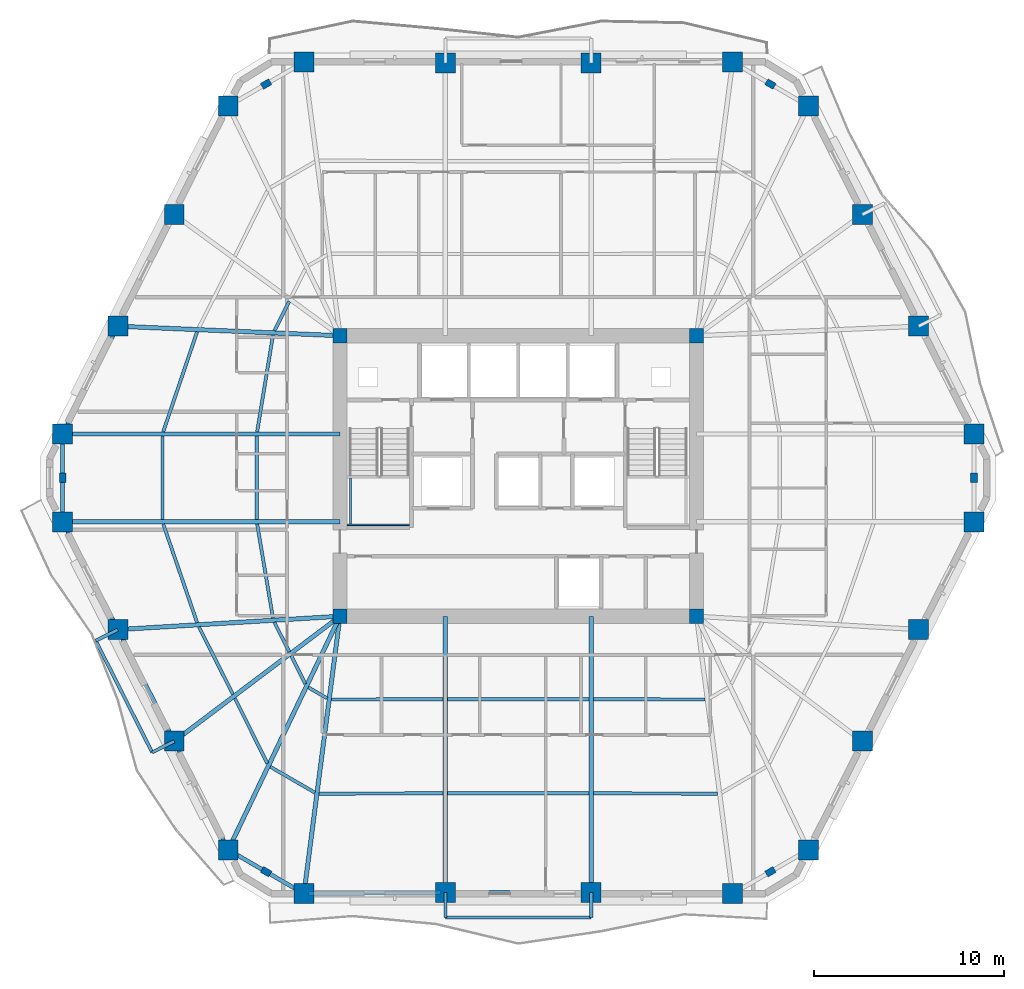
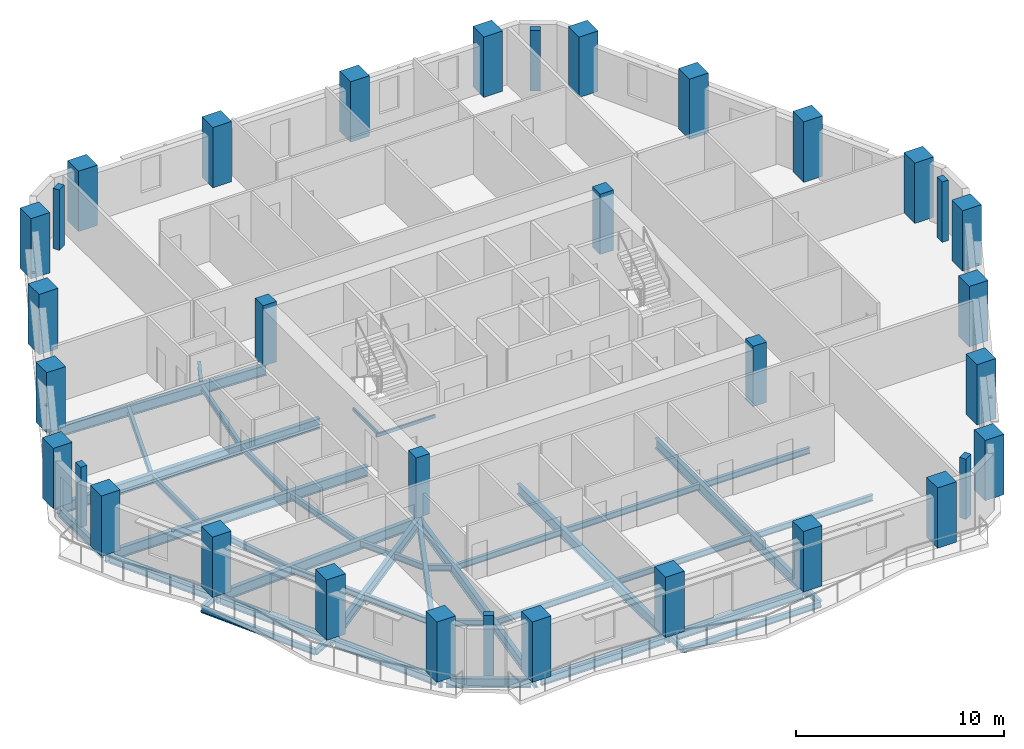
# One storey, part 1 of 12: 44 beams, 34 columns.
"""IFC4 building model written with IfcOpenShell, lengths in metres."""

import ifcopenshell
import ifcopenshell.guid

model = None  # the IFC model being written
_history = None  # IfcOwnerHistory: only IFC2X3 demands one
_inside = {}  # id of a spatial element -> (the spatial element, [elements in it])
_under = {}  # id of a project, library or spatial element -> (it, [spatial elements below it])
_declared = {}  # id of a project -> (the project, [libraries it declares])
_typed = {}  # id of a type object -> (the type object, [elements of that type])
_made_of = {}  # id of a material, layer set ... -> (it, [elements and type objects made of it])


def new_model(schema):
    """Start an empty IFC model of exactly this schema.

    Asked for "IFC4X3", IfcOpenShell would pick the latest addendum, in which some entities
    have other attributes; the version numbers below select the first issue.
    IFC2X3 requires an IfcOwnerHistory on every rooted entity: one is made here for all.
    """
    global model, _history
    if schema == "IFC4X3":
        model = ifcopenshell.file(schema_version=(4, 3, 0, 0))
    else:
        model = ifcopenshell.file(schema=schema)
    _inside.clear()
    _under.clear()
    _declared.clear()
    _typed.clear()
    _made_of.clear()
    _history = None
    if model.schema == "IFC2X3":
        org = make("IfcOrganization", Name="unknown")
        user = make(
            "IfcPersonAndOrganization",
            ThePerson=make("IfcPerson", FamilyName="unknown"),
            TheOrganization=org,
        )
        app = make(
            "IfcApplication",
            ApplicationDeveloper=org,
            Version="unknown",
            ApplicationFullName="unknown",
            ApplicationIdentifier="unknown",
        )
        _history = make(
            "IfcOwnerHistory",
            OwningUser=user,
            OwningApplication=app,
            ChangeAction="ADDED",
            CreationDate=0,
        )
    return model


def make(cls, **values):
    """One entity of the class cls with the attributes given. An attribute that is None is left unset."""
    return model.create_entity(
        cls, **{name: value for name, value in values.items() if value is not None}
    )


def rooted(cls, **values):
    """An entity with a GlobalId (a new one), such as an element, a storey or a relation."""
    return make(cls, GlobalId=ifcopenshell.guid.new(), OwnerHistory=_history, **values)


def si_unit(unit_type, name, prefix=None):
    """IfcSIUnit, for example si_unit("LENGTHUNIT", "METRE", prefix="MILLI")."""
    return make("IfcSIUnit", UnitType=unit_type, Prefix=prefix, Name=name)


def assignment(units):
    """IfcUnitAssignment: the units of a project."""
    return None if units is None else make("IfcUnitAssignment", Units=units)


def point(xyz):
    """IfcCartesianPoint."""
    return None if xyz is None else make("IfcCartesianPoint", Coordinates=xyz)


def direction(xyz):
    """IfcDirection."""
    return None if xyz is None else make("IfcDirection", DirectionRatios=xyz)


def frame(location, z_axis=None, x_axis=None):
    """IfcAxis2Placement3D, a coordinate frame: its origin and axes. An axis left out is left unset."""
    return make(
        "IfcAxis2Placement3D",
        Location=point(location),
        Axis=direction(z_axis),
        RefDirection=direction(x_axis),
    )


def frame_2d(location, x_axis=None):
    """IfcAxis2Placement2D, a coordinate frame in the plane: its origin and x axis."""
    return make(
        "IfcAxis2Placement2D", Location=point(location), RefDirection=direction(x_axis)
    )


def origin():
    """The frame at (0, 0, 0) with its axes left unset."""
    return frame((0.0, 0.0, 0.0))


def origin_2d():
    """The frame at (0, 0) in the plane with its x axis left unset."""
    return frame_2d((0.0, 0.0))


def place(relative_to, where):
    """IfcLocalPlacement: puts the frame where relative to a parent placement (None: the world)."""
    return make(
        "IfcLocalPlacement", PlacementRelTo=relative_to, RelativePlacement=where
    )


def context(
    kind, dimensions, precision=None, world=None, true_north=None, identifier=None
):
    """IfcGeometricRepresentationContext, for example the 3D "Model" context."""
    return make(
        "IfcGeometricRepresentationContext",
        ContextIdentifier=identifier,
        ContextType=kind,
        CoordinateSpaceDimension=dimensions,
        Precision=precision,
        WorldCoordinateSystem=world,
        TrueNorth=true_north,
    )


def subcontext(parent, identifier, kind, view, scale=None):
    """IfcGeometricRepresentationSubContext, for example "Body" below "Model"."""
    return make(
        "IfcGeometricRepresentationSubContext",
        ContextIdentifier=identifier,
        ContextType=kind,
        ParentContext=parent,
        TargetScale=scale,
        TargetView=view,
    )


def project(units=None, contexts=None):
    """IfcProject with its units and contexts."""
    return rooted(
        "IfcProject",
        Name="project",
        RepresentationContexts=contexts,
        UnitsInContext=assignment(units),
    )


def spatial(cls, under=None, at=None, **own):
    """A site, building, storey or space (cls), placed at a placement, below another one or the project."""
    s = rooted(cls, ObjectPlacement=at, **own)
    if under is not None:
        _under.setdefault(under.id(), (under, []))[1].append(s)
    return s


def profile(cls, at=None, kind="AREA", **sizes):
    """A parametric profile (cls). Its sizes go by their IFC names, for example OverallWidth=200.0."""
    return make(cls, ProfileType=kind, Position=at, **sizes)


def rectangle(**sizes):
    """IfcRectangleProfileDef."""
    return profile("IfcRectangleProfileDef", **sizes)


def hollow_rectangle(**sizes):
    """IfcRectangleHollowProfileDef."""
    return profile("IfcRectangleHollowProfileDef", **sizes)


def i_section(**sizes):
    """IfcIShapeProfileDef."""
    return profile("IfcIShapeProfileDef", **sizes)


def extrude(swept, where, along, depth):
    """IfcExtrudedAreaSolid: the profile swept, set in the frame where, extruded along a direction by depth."""
    return make(
        "IfcExtrudedAreaSolid",
        SweptArea=swept,
        Position=where,
        ExtrudedDirection=direction(along),
        Depth=depth,
    )


def shape(context_of_items, identifier, shape_type, items):
    """IfcShapeRepresentation: the items that make up one representation, for example the "Body"."""
    return make(
        "IfcShapeRepresentation",
        ContextOfItems=context_of_items,
        RepresentationIdentifier=identifier,
        RepresentationType=shape_type,
        Items=items,
    )


def material(Name=None, Category=None):
    """IfcMaterial."""
    return make("IfcMaterial", Name=Name, Category=Category)


def material_profile(
    of_material, cross_section, Name=None, Category=None, Priority=None
):
    """IfcMaterialProfile: a cross section and its material."""
    return make(
        "IfcMaterialProfile",
        Name=Name,
        Material=of_material,
        Profile=cross_section,
        Priority=Priority,
        Category=Category,
    )


def profile_set(profiles, Name=None, composite=None):
    """IfcMaterialProfileSet."""
    return make(
        "IfcMaterialProfileSet",
        Name=Name,
        MaterialProfiles=profiles,
        CompositeProfile=composite,
    )


def made_of(thing, what):
    """Note that an element or type object is made of a material, layer set ...; save() writes the relation."""
    if what is not None:
        _made_of.setdefault(what.id(), (what, []))[1].append(thing)
    return thing


def type_object(cls, material=None, **own):
    """A type object (cls), such as IfcWallType, which elements share."""
    return made_of(rooted(cls, **own), material)


def element(
    cls,
    number,
    at=None,
    inside=None,
    cuts=None,
    type_object=None,
    material=None,
    context=None,
    identifier="Body",
    shape_type=None,
    held_by="IfcProductDefinitionShape",
    body=None,
    shapes=None,
    **own,
):
    """One element of the class cls, such as IfcWall. Its Tag is "e" and its number.

    at: its placement. inside: the storey or other place that contains it. cuts: it is an
    opening in that element (IfcRelVoidsElement). A single representation is given by context,
    identifier, shape_type and body (its items); several are given by shapes. held_by: the class
    of the entity that holds the representations. save() writes the other relations.
    """
    e = rooted(cls, Tag="e%d" % number, ObjectPlacement=at, **own)
    if body is not None:
        shapes = [shape(context, identifier, shape_type, body)]
    if shapes is not None:
        e.Representation = make(held_by, Representations=shapes)
    if inside is not None:
        _inside.setdefault(inside.id(), (inside, []))[1].append(e)
    if cuts is not None:
        rooted(
            "IfcRelVoidsElement", RelatingBuildingElement=cuts, RelatedOpeningElement=e
        )
    if type_object is not None:
        _typed.setdefault(type_object.id(), (type_object, []))[1].append(e)
    return made_of(e, material)


def aggregate(whole, parts):
    """IfcRelAggregates: a whole, such as a stair, and the parts it consists of."""
    return rooted("IfcRelAggregates", RelatingObject=whole, RelatedObjects=parts)


def save(model, path):
    """Write the relations noted so far, then the file.

    IfcRelAggregates (storeys below a building ...), IfcRelContainedInSpatialStructure (elements
    in a storey), IfcRelDefinesByType, IfcRelAssociatesMaterial and IfcRelDeclares: one each for
    every whole, place, type object, material and project.
    """
    for whole, parts in _under.values():
        aggregate(whole, parts)
    for where, things in _inside.values():
        rooted(
            "IfcRelContainedInSpatialStructure",
            RelatedElements=things,
            RelatingStructure=where,
        )
    for kind, things in _typed.values():
        rooted("IfcRelDefinesByType", RelatedObjects=things, RelatingType=kind)
    for what, things in _made_of.values():
        rooted("IfcRelAssociatesMaterial", RelatedObjects=things, RelatingMaterial=what)
    for by, libraries in _declared.values():
        rooted("IfcRelDeclares", RelatingContext=by, RelatedDefinitions=libraries)
    model.write(path)


model = new_model("IFC4")

# Units and contexts
model_context = context("Model", 3, precision=1e-05, world=origin(), true_north=direction((0.0, 1.0)))
body_context = subcontext(model_context, "Body", "Model", "MODEL_VIEW")
ifc_project = project(units=[si_unit("LENGTHUNIT", "METRE"), si_unit("AREAUNIT", "SQUARE_METRE"), si_unit("VOLUMEUNIT", "CUBIC_METRE"), si_unit("PLANEANGLEUNIT", "RADIAN"), si_unit("MASSUNIT", "GRAM", prefix="KILO")], contexts=[model_context])

# Site, building, storey
site_placement = place(None, origin())
site = spatial("IfcSite", under=ifc_project, at=site_placement, CompositionType="ELEMENT")
building_placement = place(site_placement, origin())
building = spatial("IfcBuilding", under=site, at=building_placement, Name="Cinnabar Lancet Tower", CompositionType="ELEMENT")
storey_placement = place(building_placement, frame((0.0, 0.0, 112.60009765625)))
storey = spatial("IfcBuildingStorey", under=building, at=storey_placement, Name="L29", CompositionType="ELEMENT", Elevation=112.60009765625)

# Columns
ifc_material_1 = material(Name="Concrete C70/85", Category="concrete")
ifc_material_profile_1 = material_profile(ifc_material_1, rectangle(XDim=0.75, YDim=0.75, at=origin_2d()), Name="RC-COL 750x750")
ifc_profile_set_1 = profile_set([ifc_material_profile_1], Name="Concrete C70/85")
column_type_1 = type_object("IfcColumnType", Name="STR-COL-CORE-750", PredefinedType="COLUMN", material=ifc_profile_set_1)
for number, where, z_axis, x_axis, name in (
    (1, (23.02490234375, 18.52490234375, 0.0), (0.0, 0.0, 1.0), (1.0, 0.0, 0.0), "L29 Core Corner Column SW"),
    (2, (41.77490234375, 18.52490234375, 0.0), (0.0, 0.0, 1.0), (1.0, 0.0, 0.0), "L29 Core Corner Column SE"),
    (3, (41.77490234375, 33.27490234375, 0.0), (0.0, 0.0, 1.0), (1.0, 0.0, 0.0), "L29 Core Corner Column NE"),
    (4, (23.02490234375, 33.27490234375, 0.0), (0.0, 0.0, 1.0), (1.0, 0.0, 0.0), "L29 Core Corner Column NW"),
):
    element("IfcColumn", number, at=place(storey_placement, frame(where, z_axis=z_axis, x_axis=x_axis)), inside=storey, type_object=column_type_1, Name=name, PredefinedType="COLUMN", context=body_context, shape_type="SweptSolid", body=[
        extrude(rectangle(XDim=0.75, YDim=0.75, at=origin_2d()), origin(), (0.0, 0.0, 1.0), 3.5498046875),
    ])
ifc_material_2 = material(Name="Concrete C60/75", Category="concrete")
ifc_material_profile_2 = material_profile(ifc_material_2, rectangle(XDim=0.5, YDim=0.35009765625, at=origin_2d()), Name="RC-PIL 500x350")
ifc_profile_set_2 = profile_set([ifc_material_profile_2], Name="Concrete C60/75")
column_type_2 = type_object("IfcColumnType", Name="STR-COL-PIL-500", PredefinedType="PILASTER", material=ifc_profile_set_2)
for number, where, z_axis, x_axis, name in (
    (5, (19.14111328125, 5.093017578125, 0.0), (0.0, 0.0, 1.0), (0.865160173452, -0.501495637342, 0.0), "L29 Chamfered Corner Pilaster 1"),
    (6, (45.658935546875, 5.093017578125, 0.0), (0.0, 0.0, 1.0), (0.865160173452, 0.501495637342, 0.0), "L29 Chamfered Corner Pilaster 2"),
    (7, (56.35693359375, 25.800048828125, 0.0), (0.0, 0.0, 1.0), (0.0, 1.0, 0.0), "L29 Chamfered Corner Pilaster 3"),
    (8, (45.658935546875, 46.508056640625, 0.0), (0.0, 0.0, 1.0), (-0.865160173452, 0.501495637342, 0.0), "L29 Chamfered Corner Pilaster 4"),
    (9, (19.14111328125, 46.508056640625, 0.0), (0.0, 0.0, 1.0), (-0.865160173452, -0.501495637342, 0.0), "L29 Chamfered Corner Pilaster 5"),
    (10, (8.443115234375, 25.800048828125, 0.0), (0.0, 0.0, 1.0), (0.0, -1.0, 0.0), "L29 Chamfered Corner Pilaster 6"),
):
    element("IfcColumn", number, at=place(storey_placement, frame(where, z_axis=z_axis, x_axis=x_axis)), inside=storey, type_object=column_type_2, Name=name, PredefinedType="PILASTER", context=body_context, shape_type="SweptSolid", body=[
        extrude(rectangle(XDim=0.5, YDim=0.35009765625, at=origin_2d()), origin(), (0.0, 0.0, 1.0), 3.5498046875),
    ])
ifc_material_3 = material(Name="Concrete C70/85", Category="concrete")
ifc_material_profile_3 = material_profile(ifc_material_3, rectangle(XDim=1.050048828125, YDim=1.050048828125, at=origin_2d()), Name="RC-COL 1050x1050")
ifc_profile_set_3 = profile_set([ifc_material_profile_3], Name="Concrete C70/85")
column_type_3 = type_object("IfcColumnType", Name="STR-COL-TUBE-1050", PredefinedType="COLUMN", material=ifc_profile_set_3)
for number, where, z_axis, x_axis, name in (
    (11, (21.131103515625, 3.93896484375, 0.0), (0.0, 0.0, 1.0), (1.0, 0.0, 0.0), "L29 Perimeter Tube Column 1"),
    (12, (28.568115234375, 3.991943359375, 0.0), (0.0, 0.0, 1.0), (1.0, 0.0, 0.0), "L29 Perimeter Tube Column 2"),
    (13, (36.23193359375, 3.991943359375, 0.0), (0.0, 0.0, 1.0), (1.0, 0.0, 0.0), "L29 Perimeter Tube Column 3"),
    (14, (43.6689453125, 3.93896484375, 0.0), (0.0, 0.0, 1.0), (1.0, 0.0, 0.0), "L29 Perimeter Tube Column 4"),
    (15, (47.64892578125, 6.24609375, 0.0), (0.0, 0.0, 1.0), (1.0, 0.0, 0.0), "L29 Perimeter Tube Column 5"),
    (16, (50.489013671875, 11.955078125, 0.0), (0.0, 0.0, 1.0), (1.0, 0.0, 0.0), "L29 Perimeter Tube Column 6"),
    (17, (53.451904296875, 17.823974609375, 0.0), (0.0, 0.0, 1.0), (1.0, 0.0, 0.0), "L29 Perimeter Tube Column 7"),
    (18, (56.35693359375, 23.490966796875, 0.0), (0.0, 0.0, 1.0), (1.0, 0.0, 0.0), "L29 Perimeter Tube Column 8"),
    (19, (56.35693359375, 28.10888671875, 0.0), (0.0, 0.0, 1.0), (1.0, 0.0, 0.0), "L29 Perimeter Tube Column 9"),
    (20, (53.451904296875, 33.77587890625, 0.0), (0.0, 0.0, 1.0), (1.0, 0.0, 0.0), "L29 Perimeter Tube Column 10"),
    (21, (50.489013671875, 39.64501953125, 0.0), (0.0, 0.0, 1.0), (1.0, 0.0, 0.0), "L29 Perimeter Tube Column 11"),
    (22, (47.64892578125, 45.35400390625, 0.0), (0.0, 0.0, 1.0), (1.0, 0.0, 0.0), "L29 Perimeter Tube Column 12"),
    (23, (43.6689453125, 47.660888671875, 0.0), (0.0, 0.0, 1.0), (1.0, 0.0, 0.0), "L29 Perimeter Tube Column 13"),
    (24, (36.23193359375, 47.60791015625, 0.0), (0.0, 0.0, 1.0), (1.0, 0.0, 0.0), "L29 Perimeter Tube Column 14"),
    (25, (28.568115234375, 47.60791015625, 0.0), (0.0, 0.0, 1.0), (1.0, 0.0, 0.0), "L29 Perimeter Tube Column 15"),
    (26, (21.131103515625, 47.660888671875, 0.0), (0.0, 0.0, 1.0), (1.0, 0.0, 0.0), "L29 Perimeter Tube Column 16"),
    (27, (17.15087890625, 45.35400390625, 0.0), (0.0, 0.0, 1.0), (1.0, 0.0, 0.0), "L29 Perimeter Tube Column 17"),
    (28, (14.31103515625, 39.64501953125, 0.0), (0.0, 0.0, 1.0), (1.0, 0.0, 0.0), "L29 Perimeter Tube Column 18"),
    (29, (11.347900390625, 33.77587890625, 0.0), (0.0, 0.0, 1.0), (1.0, 0.0, 0.0), "L29 Perimeter Tube Column 19"),
    (30, (8.443115234375, 28.10888671875, 0.0), (0.0, 0.0, 1.0), (1.0, 0.0, 0.0), "L29 Perimeter Tube Column 20"),
    (31, (8.443115234375, 23.490966796875, 0.0), (0.0, 0.0, 1.0), (1.0, 0.0, 0.0), "L29 Perimeter Tube Column 21"),
    (32, (11.347900390625, 17.823974609375, 0.0), (0.0, 0.0, 1.0), (1.0, 0.0, 0.0), "L29 Perimeter Tube Column 22"),
    (33, (14.31103515625, 11.955078125, 0.0), (0.0, 0.0, 1.0), (1.0, 0.0, 0.0), "L29 Perimeter Tube Column 23"),
    (34, (17.15087890625, 6.24609375, 0.0), (0.0, 0.0, 1.0), (1.0, 0.0, 0.0), "L29 Perimeter Tube Column 24"),
):
    element("IfcColumn", number, at=place(storey_placement, frame(where, z_axis=z_axis, x_axis=x_axis)), inside=storey, type_object=column_type_3, Name=name, PredefinedType="COLUMN", context=body_context, shape_type="SweptSolid", body=[
        extrude(rectangle(XDim=1.050048828125, YDim=1.050048828125, at=origin_2d()), origin(), (0.0, 0.0, 1.0), 3.5498046875),
    ])

# Beams
ifc_material_4 = material(Name="Structural steel S355", Category="steel")
ifc_material_profile_4 = material_profile(ifc_material_4, i_section(OverallWidth=0.17138671875, OverallDepth=0.35498046875, WebThickness=0.00732421875, FlangeThickness=0.011474609375, FilletRadius=0.01025390625, at=origin_2d()), Name="UKB 356x171x51")
ifc_profile_set_4 = profile_set([ifc_material_profile_4], Name="Structural steel S355")
beam_type_1 = type_object("IfcBeamType", Name="STR-BM-JST-356", PredefinedType="JOIST", material=ifc_profile_set_4)
beam_1_placement = place(storey_placement, frame((13.73193359375, 23.376953125, -0.38720703125), z_axis=(0.324639458548, -0.945837841257, 0.0), x_axis=(0.945837841257, 0.324639458548, 0.0)))
element("IfcBeam", 35, at=beam_1_placement, inside=storey, type_object=beam_type_1, Name="L29 Secondary Floor Joist 1", PredefinedType="JOIST", context=body_context, shape_type="SweptSolid", body=[
    extrude(i_section(OverallWidth=0.17138671875, OverallDepth=0.35498046875, WebThickness=0.00732421875, FlangeThickness=0.011474609375, FilletRadius=0.01025390625, at=origin_2d()), origin(), (0.0, 0.0, 1.0), 5.486083984375),
])
beam_2_placement = place(storey_placement, frame((18.669921875, 23.376953125, -0.38720703125), z_axis=(0.165984412241, -0.986128376477, 0.0), x_axis=(0.986128376477, 0.165984412241, 0.0)))
element("IfcBeam", 36, at=beam_2_placement, inside=storey, type_object=beam_type_1, Name="L29 Secondary Floor Joist 2", PredefinedType="JOIST", context=body_context, shape_type="SweptSolid", body=[
    extrude(i_section(OverallWidth=0.17138671875, OverallDepth=0.35498046875, WebThickness=0.00732421875, FlangeThickness=0.011474609375, FilletRadius=0.01025390625, at=origin_2d()), origin(), (0.0, 0.0, 1.0), 5.0185546875),
])
beam_3_placement = place(storey_placement, frame((15.60791015625, 17.965087890625, -0.38720703125), z_axis=(0.450755070916, -0.892647671841, 0.0), x_axis=(0.892647671841, 0.450755070916, 0.0)))
element("IfcBeam", 37, at=beam_3_placement, inside=storey, type_object=beam_type_1, Name="L29 Secondary Floor Joist 3", PredefinedType="JOIST", context=body_context, shape_type="SweptSolid", body=[
    extrude(i_section(OverallWidth=0.17138671875, OverallDepth=0.35498046875, WebThickness=0.00732421875, FlangeThickness=0.011474609375, FilletRadius=0.01025390625, at=origin_2d()), origin(), (0.0, 0.0, 1.0), 3.966796875),
])
beam_4_placement = place(storey_placement, frame((19.577880859375, 18.2041015625, -0.38720703125), z_axis=(0.450874341268, -0.892587434589, 0.0), x_axis=(0.892587434589, 0.450874341268, 0.0)))
element("IfcBeam", 38, at=beam_4_placement, inside=storey, type_object=beam_type_1, Name="L29 Secondary Floor Joist 4", PredefinedType="JOIST", context=body_context, shape_type="SweptSolid", body=[
    extrude(i_section(OverallWidth=0.17138671875, OverallDepth=0.35498046875, WebThickness=0.00732421875, FlangeThickness=0.011474609375, FilletRadius=0.01025390625, at=origin_2d()), origin(), (0.0, 0.0, 1.0), 1.732177734375),
])
beam_5_placement = place(storey_placement, frame((17.5, 14.216064453125, -0.38720703125), z_axis=(0.445295120803, -0.895383859241, 0.0), x_axis=(0.895383859241, 0.445295120803, 0.0)))
element("IfcBeam", 39, at=beam_5_placement, inside=storey, type_object=beam_type_1, Name="L29 Secondary Floor Joist 5", PredefinedType="JOIST", context=body_context, shape_type="SweptSolid", body=[
    extrude(i_section(OverallWidth=0.17138671875, OverallDepth=0.35498046875, WebThickness=0.00732421875, FlangeThickness=0.011474609375, FilletRadius=0.01025390625, at=origin_2d()), origin(), (0.0, 0.0, 1.0), 3.81982421875),
])
beam_6_placement = place(storey_placement, frame((20.4619140625, 16.449951171875, -0.38720703125), z_axis=(0.445557690111, -0.895253229418, 0.0), x_axis=(0.895253229418, 0.445557690111, 0.0)))
element("IfcBeam", 40, at=beam_6_placement, inside=storey, type_object=beam_type_1, Name="L29 Secondary Floor Joist 6", PredefinedType="JOIST", context=body_context, shape_type="SweptSolid", body=[
    extrude(i_section(OverallWidth=0.17138671875, OverallDepth=0.35498046875, WebThickness=0.00732421875, FlangeThickness=0.011474609375, FilletRadius=0.01025390625, at=origin_2d()), origin(), (0.0, 0.0, 1.0), 1.652099609375),
])
beam_7_placement = place(storey_placement, frame((19.364990234375, 10.60888671875, -0.38720703125), z_axis=(0.865172906898, -0.501473669469, 0.0), x_axis=(0.501473669469, 0.865172906898, 0.0)))
element("IfcBeam", 41, at=beam_7_placement, inside=storey, type_object=beam_type_1, Name="L29 Secondary Floor Joist 7", PredefinedType="JOIST", context=body_context, shape_type="SweptSolid", body=[
    extrude(i_section(OverallWidth=0.17138671875, OverallDepth=0.35498046875, WebThickness=0.00732421875, FlangeThickness=0.011474609375, FilletRadius=0.01025390625, at=origin_2d()), origin(), (0.0, 0.0, 1.0), 2.705810546875),
])
beam_8_placement = place(storey_placement, frame((21.362060546875, 14.783935546875, -0.38720703125), z_axis=(0.865055308165, -0.501676503154, 0.0), x_axis=(0.501676503154, 0.865055308165, 0.0)))
element("IfcBeam", 42, at=beam_8_placement, inside=storey, type_object=beam_type_1, Name="L29 Secondary Floor Joist 8", PredefinedType="JOIST", context=body_context, shape_type="SweptSolid", body=[
    extrude(i_section(OverallWidth=0.17138671875, OverallDepth=0.35498046875, WebThickness=0.00732421875, FlangeThickness=0.011474609375, FilletRadius=0.01025390625, at=origin_2d()), origin(), (0.0, 0.0, 1.0), 1.14208984375),
])
beam_9_placement = place(storey_placement, frame((21.927978515625, 9.19091796875, -0.38720703125), z_axis=(0.999987991898, 0.004900618269, 0.0), x_axis=(-0.004900618269, 0.999987991898, 0.0)))
element("IfcBeam", 43, at=beam_9_placement, inside=storey, type_object=beam_type_1, Name="L29 Secondary Floor Joist 9", PredefinedType="JOIST", context=body_context, shape_type="SweptSolid", body=[
    extrude(i_section(OverallWidth=0.17138671875, OverallDepth=0.35498046875, WebThickness=0.00732421875, FlangeThickness=0.011474609375, FilletRadius=0.01025390625, at=origin_2d()), origin(), (0.0, 0.0, 1.0), 6.526123046875),
])
beam_10_placement = place(storey_placement, frame((22.572021484375, 14.14892578125, -0.38720703125), z_axis=(0.999996247906, 0.002739374605, 0.0), x_axis=(-0.002739374605, 0.999996247906, 0.0)))
element("IfcBeam", 44, at=beam_10_placement, inside=storey, type_object=beam_type_1, Name="L29 Secondary Floor Joist 10", PredefinedType="JOIST", context=body_context, shape_type="SweptSolid", body=[
    extrude(i_section(OverallWidth=0.17138671875, OverallDepth=0.35498046875, WebThickness=0.00732421875, FlangeThickness=0.011474609375, FilletRadius=0.01025390625, at=origin_2d()), origin(), (0.0, 0.0, 1.0), 5.882080078125),
])
for number, where, z_axis, x_axis, name in (
    (45, (28.681884765625, 9.22412109375, -0.38720703125), (1.0, 0.0, 0.0), (0.0, 1.0, 0.0), "L29 Secondary Floor Joist 11"),
    (46, (28.681884765625, 14.1650390625, -0.38720703125), (1.0, 0.0, 0.0), (0.0, 1.0, 0.0), "L29 Secondary Floor Joist 12"),
):
    element("IfcBeam", number, at=place(storey_placement, frame(where, z_axis=z_axis, x_axis=x_axis)), inside=storey, type_object=beam_type_1, Name=name, PredefinedType="JOIST", context=body_context, shape_type="SweptSolid", body=[
        extrude(i_section(OverallWidth=0.17138671875, OverallDepth=0.35498046875, WebThickness=0.00732421875, FlangeThickness=0.011474609375, FilletRadius=0.01025390625, at=origin_2d()), origin(), (0.0, 0.0, 1.0), 7.43603515625),
    ])
beam_11_placement = place(storey_placement, frame((36.345947265625, 9.222900390625, -0.38720703125), z_axis=(0.999987991898, -0.004900618269, 0.0), x_axis=(0.004900618269, 0.999987991898, 0.0)))
element("IfcBeam", 47, at=beam_11_placement, inside=storey, type_object=beam_type_1, Name="L29 Secondary Floor Joist 13", PredefinedType="JOIST", context=body_context, shape_type="SweptSolid", body=[
    extrude(i_section(OverallWidth=0.17138671875, OverallDepth=0.35498046875, WebThickness=0.00732421875, FlangeThickness=0.011474609375, FilletRadius=0.01025390625, at=origin_2d()), origin(), (0.0, 0.0, 1.0), 6.526123046875),
])
beam_12_placement = place(storey_placement, frame((36.345947265625, 14.1650390625, -0.38720703125), z_axis=(0.999996247906, -0.002739374605, 0.0), x_axis=(0.002739374605, 0.999996247906, 0.0)))
element("IfcBeam", 48, at=beam_12_placement, inside=storey, type_object=beam_type_1, Name="L29 Secondary Floor Joist 14", PredefinedType="JOIST", context=body_context, shape_type="SweptSolid", body=[
    extrude(i_section(OverallWidth=0.17138671875, OverallDepth=0.35498046875, WebThickness=0.00732421875, FlangeThickness=0.011474609375, FilletRadius=0.01025390625, at=origin_2d()), origin(), (0.0, 0.0, 1.0), 5.882080078125),
])
beam_13_placement = place(storey_placement, frame((20.35888671875, 35.0830078125, -0.38720703125), z_axis=(-0.450931068976, -0.892558777354, 0.0), x_axis=(0.892558777354, -0.450931068976, 0.0)))
element("IfcBeam", 49, at=beam_13_placement, inside=storey, type_object=beam_type_1, Name="L29 Secondary Floor Joist 44", PredefinedType="JOIST", context=body_context, shape_type="SweptSolid", body=[
    extrude(i_section(OverallWidth=0.17138671875, OverallDepth=0.35498046875, WebThickness=0.00732421875, FlangeThickness=0.011474609375, FilletRadius=0.01025390625, at=origin_2d()), origin(), (0.0, 0.0, 1.0), 1.73193359375),
])
beam_14_placement = place(storey_placement, frame((15.513916015625, 33.48291015625, -0.38720703125), z_axis=(-0.321023911172, -0.947071089442, 0.0), x_axis=(0.947071089442, -0.321023911172, 0.0)))
element("IfcBeam", 50, at=beam_14_placement, inside=storey, type_object=beam_type_1, Name="L29 Secondary Floor Joist 45", PredefinedType="JOIST", context=body_context, shape_type="SweptSolid", body=[
    extrude(i_section(OverallWidth=0.17138671875, OverallDepth=0.35498046875, WebThickness=0.00732421875, FlangeThickness=0.011474609375, FilletRadius=0.01025390625, at=origin_2d()), origin(), (0.0, 0.0, 1.0), 5.553955078125),
])
beam_15_placement = place(storey_placement, frame((19.5029296875, 33.31201171875, -0.38720703125), z_axis=(-0.161719098977, -0.986836832017, 0.0), x_axis=(0.986836832017, -0.161719098977, 0.0)))
element("IfcBeam", 51, at=beam_15_placement, inside=storey, type_object=beam_type_1, Name="L29 Secondary Floor Joist 46", PredefinedType="JOIST", context=body_context, shape_type="SweptSolid", body=[
    extrude(i_section(OverallWidth=0.17138671875, OverallDepth=0.35498046875, WebThickness=0.00732421875, FlangeThickness=0.011474609375, FilletRadius=0.01025390625, at=origin_2d()), origin(), (0.0, 0.0, 1.0), 5.156982421875),
])
for number, where, z_axis, x_axis, name in (
    (52, (13.693115234375, 27.9951171875, -0.38720703125), (0.0, -1.0, 0.0), (1.0, 0.0, 0.0), "L29 Secondary Floor Joist 47"),
    (53, (18.64990234375, 27.9951171875, -0.38720703125), (0.0, -1.0, 0.0), (1.0, 0.0, 0.0), "L29 Secondary Floor Joist 48"),
):
    element("IfcBeam", number, at=place(storey_placement, frame(where, z_axis=z_axis, x_axis=x_axis)), inside=storey, type_object=beam_type_1, Name=name, PredefinedType="JOIST", context=body_context, shape_type="SweptSolid", body=[
        extrude(i_section(OverallWidth=0.17138671875, OverallDepth=0.35498046875, WebThickness=0.00732421875, FlangeThickness=0.011474609375, FilletRadius=0.01025390625, at=origin_2d()), origin(), (0.0, 0.0, 1.0), 4.39013671875),
    ])
ifc_material_5 = material(Name="Structural steel S355", Category="steel")
ifc_material_profile_5 = material_profile(ifc_material_5, hollow_rectangle(XDim=0.10009765625, YDim=0.199951171875, WallThickness=0.008056640625, InnerFilletRadius=0.00390625, OuterFilletRadius=0.011962890625, at=origin_2d()), Name="RHS 200x100x8")
ifc_profile_set_5 = profile_set([ifc_material_profile_5], Name="Structural steel S355")
beam_type_2 = type_object("IfcBeamType", Name="STR-BM-LND-203", PredefinedType="BEAM", material=ifc_profile_set_5)
beam_16_placement = place(storey_placement, frame((23.39990234375, 23.330078125, 1.474853515625), z_axis=(1.0, 0.0, 0.0), x_axis=(0.0, 1.0, 0.0)))
element("IfcBeam", 54, at=beam_16_placement, inside=storey, type_object=beam_type_2, Name="L29 ST-1-L29 Landing Support Beam S", PredefinedType="BEAM", context=body_context, shape_type="SweptSolid", body=[
    extrude(hollow_rectangle(XDim=0.10009765625, YDim=0.199951171875, WallThickness=0.008056640625, InnerFilletRadius=0.00390625, OuterFilletRadius=0.011962890625, at=origin_2d()), origin(), (0.0, 0.0, 1.0), 3.280029296875),
])
beam_17_placement = place(storey_placement, frame((23.580078125, 23.3798828125, 1.474853515625), z_axis=(0.0, 1.0, 0.0), x_axis=(-1.0, 0.0, 0.0)))
element("IfcBeam", 55, at=beam_17_placement, inside=storey, type_object=beam_type_2, Name="L29 ST-1-L29 Landing Side Trimmer Beam", PredefinedType="BEAM", context=body_context, shape_type="SweptSolid", body=[
    extrude(hollow_rectangle(XDim=0.10009765625, YDim=0.199951171875, WallThickness=0.008056640625, InnerFilletRadius=0.00390625, OuterFilletRadius=0.011962890625, at=origin_2d()), origin(), (0.0, 0.0, 1.0), 2.4150390625),
])
ifc_material_6 = material(Name="Structural steel S355", Category="steel")
ifc_material_profile_6 = material_profile(ifc_material_6, i_section(OverallWidth=0.209228515625, OverallDepth=0.533203125, WebThickness=0.010009765625, FlangeThickness=0.015625, FilletRadius=0.0126953125, at=origin_2d()), Name="UKB 533x210x92")
ifc_profile_set_6 = profile_set([ifc_material_profile_6], Name="Structural steel S355")
beam_type_3 = type_object("IfcBeamType", Name="STR-BM-SPN-533", PredefinedType="SPANDREL", material=ifc_profile_set_6)
beam_18_placement = place(storey_placement, frame((21.381103515625, 3.94091796875, -0.47705078125), z_axis=(0.999974980359, 0.007073800628, 0.0), x_axis=(-0.007073800628, 0.999974980359, 0.0)))
element("IfcBeam", 56, at=beam_18_placement, inside=storey, type_object=beam_type_3, Name="L29 Perimeter Spandrel 1", PredefinedType="SPANDREL", context=body_context, shape_type="SweptSolid", body=[
    extrude(i_section(OverallWidth=0.209228515625, OverallDepth=0.533203125, WebThickness=0.010009765625, FlangeThickness=0.015625, FilletRadius=0.0126953125, at=origin_2d()), origin(), (0.0, 0.0, 1.0), 6.937255859375),
])
beam_19_placement = place(storey_placement, frame((28.818115234375, 3.991943359375, -0.47705078125), z_axis=(1.0, 0.0, 0.0), x_axis=(0.0, 1.0, 0.0)))
element("IfcBeam", 57, at=beam_19_placement, inside=storey, type_object=beam_type_3, Name="L29 Perimeter Spandrel 2", PredefinedType="SPANDREL", context=body_context, shape_type="SweptSolid", body=[
    extrude(i_section(OverallWidth=0.209228515625, OverallDepth=0.533203125, WebThickness=0.010009765625, FlangeThickness=0.015625, FilletRadius=0.0126953125, at=origin_2d()), origin(), (0.0, 0.0, 1.0), 7.163818359375),
])
beam_20_placement = place(storey_placement, frame((11.23388671875, 33.553955078125, -0.47705078125), z_axis=(-0.456126618405, -0.889914888055, 0.0), x_axis=(0.889914888055, -0.456126618405, 0.0)))
element("IfcBeam", 58, at=beam_20_placement, inside=storey, type_object=beam_type_3, Name="L29 Perimeter Spandrel 19", PredefinedType="SPANDREL", context=body_context, shape_type="SweptSolid", body=[
    extrude(i_section(OverallWidth=0.209228515625, OverallDepth=0.533203125, WebThickness=0.010009765625, FlangeThickness=0.015625, FilletRadius=0.0126953125, at=origin_2d()), origin(), (0.0, 0.0, 1.0), 5.868896484375),
])
beam_21_placement = place(storey_placement, frame((8.443115234375, 27.85888671875, -0.47705078125), z_axis=(0.0, -1.0, 0.0), x_axis=(1.0, 0.0, 0.0)))
element("IfcBeam", 59, at=beam_21_placement, inside=storey, type_object=beam_type_3, Name="L29 Perimeter Spandrel 20", PredefinedType="SPANDREL", context=body_context, shape_type="SweptSolid", body=[
    extrude(i_section(OverallWidth=0.209228515625, OverallDepth=0.533203125, WebThickness=0.010009765625, FlangeThickness=0.015625, FilletRadius=0.0126953125, at=origin_2d()), origin(), (0.0, 0.0, 1.0), 4.117919921875),
])
beam_22_placement = place(storey_placement, frame((8.556884765625, 23.26904296875, -0.47705078125), z_axis=(0.456109733574, -0.889923542187, 0.0), x_axis=(0.889923542187, 0.456109733574, 0.0)))
element("IfcBeam", 60, at=beam_22_placement, inside=storey, type_object=beam_type_3, Name="L29 Perimeter Spandrel 21", PredefinedType="SPANDREL", context=body_context, shape_type="SweptSolid", body=[
    extrude(i_section(OverallWidth=0.209228515625, OverallDepth=0.533203125, WebThickness=0.010009765625, FlangeThickness=0.015625, FilletRadius=0.0126953125, at=origin_2d()), origin(), (0.0, 0.0, 1.0), 5.869140625),
])
beam_23_placement = place(storey_placement, frame((11.4609375, 17.60107421875, -0.47705078125), z_axis=(0.450570325924, -0.892740937449, 0.0), x_axis=(0.892740937449, 0.450570325924, 0.0)))
element("IfcBeam", 61, at=beam_23_placement, inside=storey, type_object=beam_type_3, Name="L29 Perimeter Spandrel 22", PredefinedType="SPANDREL", context=body_context, shape_type="SweptSolid", body=[
    extrude(i_section(OverallWidth=0.209228515625, OverallDepth=0.533203125, WebThickness=0.010009765625, FlangeThickness=0.015625, FilletRadius=0.0126953125, at=origin_2d()), origin(), (0.0, 0.0, 1.0), 6.07470703125),
])
beam_24_placement = place(storey_placement, frame((14.422119140625, 11.73095703125, -0.47705078125), z_axis=(0.445501068635, -0.89528140707, 0.0), x_axis=(0.89528140707, 0.445501068635, 0.0)))
element("IfcBeam", 62, at=beam_24_placement, inside=storey, type_object=beam_type_3, Name="L29 Perimeter Spandrel 23", PredefinedType="SPANDREL", context=body_context, shape_type="SweptSolid", body=[
    extrude(i_section(OverallWidth=0.209228515625, OverallDepth=0.533203125, WebThickness=0.010009765625, FlangeThickness=0.015625, FilletRadius=0.0126953125, at=origin_2d()), origin(), (0.0, 0.0, 1.0), 5.87646484375),
])
beam_25_placement = place(storey_placement, frame((17.366943359375, 6.12109375, -0.47705078125), z_axis=(0.865112299906, -0.501578217781, 0.0), x_axis=(0.501578217781, 0.865112299906, 0.0)))
element("IfcBeam", 63, at=beam_25_placement, inside=storey, type_object=beam_type_3, Name="L29 Perimeter Spandrel 24", PredefinedType="SPANDREL", context=body_context, shape_type="SweptSolid", body=[
    extrude(i_section(OverallWidth=0.209228515625, OverallDepth=0.533203125, WebThickness=0.010009765625, FlangeThickness=0.015625, FilletRadius=0.0126953125, at=origin_2d()), origin(), (0.0, 0.0, 1.0), 4.101318359375),
])
ifc_material_7 = material(Name="Structural steel S355", Category="steel")
ifc_material_profile_7 = material_profile(ifc_material_7, i_section(OverallWidth=0.228271484375, OverallDepth=0.607666015625, WebThickness=0.010986328125, FlangeThickness=0.017333984375, FilletRadius=0.0126953125, at=origin_2d()), Name="UKB 610x229x113")
ifc_profile_set_7 = profile_set([ifc_material_profile_7], Name="Structural steel S355")
beam_type_4 = type_object("IfcBeamType", Name="STR-BM-UKB610-113", PredefinedType="BEAM", material=ifc_profile_set_7)
beam_26_placement = place(storey_placement, frame((14.31103515625, 11.955078125, -0.51416015625), z_axis=(0.798483350078, 0.602016893158, 0.0), x_axis=(-0.602016893158, 0.798483350078, 0.0)))
element("IfcBeam", 64, at=beam_26_placement, inside=storey, type_object=beam_type_4, Name="L29 Corner Collector Girder 1", PredefinedType="BEAM", context=body_context, shape_type="SweptSolid", body=[
    extrude(i_section(OverallWidth=0.228271484375, OverallDepth=0.607666015625, WebThickness=0.010986328125, FlangeThickness=0.017333984375, FilletRadius=0.0126953125, at=origin_2d()), origin(), (0.0, 0.0, 1.0), 10.9130859375),
])
beam_27_placement = place(storey_placement, frame((21.131103515625, 3.93896484375, -0.51416015625), z_axis=(0.128756570002, 0.991676230269, 0.0), x_axis=(-0.991676230269, 0.128756570002, 0.0)))
element("IfcBeam", 65, at=beam_27_placement, inside=storey, type_object=beam_type_4, Name="L29 Primary Floor Girder 1", PredefinedType="BEAM", context=body_context, shape_type="SweptSolid", body=[
    extrude(i_section(OverallWidth=0.228271484375, OverallDepth=0.607666015625, WebThickness=0.010986328125, FlangeThickness=0.017333984375, FilletRadius=0.0126953125, at=origin_2d()), origin(), (0.0, 0.0, 1.0), 14.708251953125),
])
for number, where, z_axis, x_axis, name in (
    (66, (28.568115234375, 3.991943359375, -0.51416015625), (0.0, 1.0, 0.0), (-1.0, 0.0, 0.0), "L29 Primary Floor Girder 2"),
    (67, (36.23193359375, 3.991943359375, -0.51416015625), (0.0, 1.0, 0.0), (-1.0, 0.0, 0.0), "L29 Primary Floor Girder 3"),
):
    element("IfcBeam", number, at=place(storey_placement, frame(where, z_axis=z_axis, x_axis=x_axis)), inside=storey, type_object=beam_type_4, Name=name, PredefinedType="BEAM", context=body_context, shape_type="SweptSolid", body=[
        extrude(i_section(OverallWidth=0.228271484375, OverallDepth=0.607666015625, WebThickness=0.010986328125, FlangeThickness=0.017333984375, FilletRadius=0.0126953125, at=origin_2d()), origin(), (0.0, 0.0, 1.0), 14.532958984375),
    ])
beam_28_placement = place(storey_placement, frame((11.347900390625, 33.77587890625, -0.51416015625), z_axis=(0.999080941658, -0.042863411158, 0.0), x_axis=(0.042863411158, 0.999080941658, 0.0)))
element("IfcBeam", 68, at=beam_28_placement, inside=storey, type_object=beam_type_4, Name="L29 Primary Floor Girder 19", PredefinedType="BEAM", context=body_context, shape_type="SweptSolid", body=[
    extrude(i_section(OverallWidth=0.228271484375, OverallDepth=0.607666015625, WebThickness=0.010986328125, FlangeThickness=0.017333984375, FilletRadius=0.0126953125, at=origin_2d()), origin(), (0.0, 0.0, 1.0), 11.687744140625),
])
for number, where, z_axis, x_axis, name in (
    (69, (8.443115234375, 28.10888671875, -0.51416015625), (1.0, 0.0, 0.0), (0.0, 1.0, 0.0), "L29 Primary Floor Girder 20"),
    (70, (8.443115234375, 23.490966796875, -0.51416015625), (1.0, 0.0, 0.0), (0.0, 1.0, 0.0), "L29 Primary Floor Girder 21"),
):
    element("IfcBeam", number, at=place(storey_placement, frame(where, z_axis=z_axis, x_axis=x_axis)), inside=storey, type_object=beam_type_4, Name=name, PredefinedType="BEAM", context=body_context, shape_type="SweptSolid", body=[
        extrude(i_section(OverallWidth=0.228271484375, OverallDepth=0.607666015625, WebThickness=0.010986328125, FlangeThickness=0.017333984375, FilletRadius=0.0126953125, at=origin_2d()), origin(), (0.0, 0.0, 1.0), 14.581787109375),
    ])
beam_29_placement = place(storey_placement, frame((11.347900390625, 17.823974609375, -0.51416015625), z_axis=(0.998203272991, 0.059918492897, 0.0), x_axis=(-0.059918492897, 0.998203272991, 0.0)))
element("IfcBeam", 71, at=beam_29_placement, inside=storey, type_object=beam_type_4, Name="L29 Primary Floor Girder 22", PredefinedType="BEAM", context=body_context, shape_type="SweptSolid", body=[
    extrude(i_section(OverallWidth=0.228271484375, OverallDepth=0.607666015625, WebThickness=0.010986328125, FlangeThickness=0.017333984375, FilletRadius=0.0126953125, at=origin_2d()), origin(), (0.0, 0.0, 1.0), 11.697998046875),
])
beam_30_placement = place(storey_placement, frame((17.15087890625, 6.24609375, -0.51416015625), z_axis=(0.431548156881, 0.902089900339, 0.0), x_axis=(-0.902089900339, 0.431548156881, 0.0)))
element("IfcBeam", 72, at=beam_30_placement, inside=storey, type_object=beam_type_4, Name="L29 Primary Floor Girder 24", PredefinedType="BEAM", context=body_context, shape_type="SweptSolid", body=[
    extrude(i_section(OverallWidth=0.228271484375, OverallDepth=0.607666015625, WebThickness=0.010986328125, FlangeThickness=0.017333984375, FilletRadius=0.0126953125, at=origin_2d()), origin(), (0.0, 0.0, 1.0), 13.611572265625),
])
ifc_material_8 = material(Name="Structural steel S355", Category="steel")
ifc_material_profile_8 = material_profile(ifc_material_8, i_section(OverallWidth=0.17138671875, OverallDepth=0.35498046875, WebThickness=0.00732421875, FlangeThickness=0.011474609375, FilletRadius=0.01025390625, at=origin_2d()), Name="UKB 356x171x51")
ifc_profile_set_8 = profile_set([ifc_material_profile_8], Name="Structural steel S355")
beam_type_5 = type_object("IfcBeamType", Name="STR-BM-WAV-OUT", PredefinedType="BEAM", material=ifc_profile_set_8)
for number, where, z_axis, x_axis, name in (
    (73, (28.568115234375, 3.991943359375, -0.397216796875), (0.0, -1.0, 0.0), (1.0, 0.0, 0.0), "L29 Face 1 Balcony Outlooker A"),
    (74, (36.23193359375, 3.991943359375, -0.397216796875), (0.0, -1.0, 0.0), (1.0, 0.0, 0.0), "L29 Face 1 Balcony Outlooker B"),
    (75, (11.347900390625, 17.823974609375, -0.397216796875), (-0.89227592947, -0.451490493464, 0.0), (0.451490493464, -0.89227592947, 0.0), "L29 Face 6 Balcony Outlooker A"),
):
    element("IfcBeam", number, at=place(storey_placement, frame(where, z_axis=z_axis, x_axis=x_axis)), inside=storey, type_object=beam_type_5, Name=name, PredefinedType="BEAM", context=body_context, shape_type="SweptSolid", body=[
        extrude(i_section(OverallWidth=0.17138671875, OverallDepth=0.35498046875, WebThickness=0.00732421875, FlangeThickness=0.011474609375, FilletRadius=0.01025390625, at=origin_2d()), origin(), (0.0, 0.0, 1.0), 1.300048828125),
    ])
beam_31_placement = place(storey_placement, frame((14.31103515625, 11.955078125, -0.397216796875), z_axis=(-0.892238560088, -0.451564338597, 0.0), x_axis=(0.451564338597, -0.892238560088, 0.0)))
element("IfcBeam", 76, at=beam_31_placement, inside=storey, type_object=beam_type_5, Name="L29 Face 6 Balcony Outlooker B", PredefinedType="BEAM", context=body_context, shape_type="SweptSolid", body=[
    extrude(i_section(OverallWidth=0.17138671875, OverallDepth=0.35498046875, WebThickness=0.00732421875, FlangeThickness=0.011474609375, FilletRadius=0.01025390625, at=origin_2d()), origin(), (0.0, 0.0, 1.0), 1.30029296875),
])
ifc_material_9 = material(Name="Structural steel S355", Category="steel")
ifc_material_profile_9 = material_profile(ifc_material_9, i_section(OverallWidth=0.17138671875, OverallDepth=0.35498046875, WebThickness=0.00732421875, FlangeThickness=0.011474609375, FilletRadius=0.01025390625, at=origin_2d()), Name="UKB 356x171x51")
ifc_profile_set_9 = profile_set([ifc_material_profile_9], Name="Structural steel S355")
beam_type_6 = type_object("IfcBeamType", Name="STR-BM-WAV-TRIM", PredefinedType="SPANDREL", material=ifc_profile_set_9)
beam_32_placement = place(storey_placement, frame((28.568115234375, 2.69189453125, -0.397216796875), z_axis=(1.0, 0.0, 0.0), x_axis=(0.0, 1.0, 0.0)))
element("IfcBeam", 77, at=beam_32_placement, inside=storey, type_object=beam_type_6, Name="L29 Face 1 Balcony Edge Trimmer", PredefinedType="SPANDREL", context=body_context, shape_type="SweptSolid", body=[
    extrude(i_section(OverallWidth=0.17138671875, OverallDepth=0.35498046875, WebThickness=0.00732421875, FlangeThickness=0.011474609375, FilletRadius=0.01025390625, at=origin_2d()), origin(), (0.0, 0.0, 1.0), 7.663818359375),
])
beam_33_placement = place(storey_placement, frame((10.18798828125, 17.237060546875, -0.397216796875), z_axis=(0.450656296771, -0.892697542385, 0.0), x_axis=(0.892697542385, 0.450656296771, 0.0)))
element("IfcBeam", 78, at=beam_33_placement, inside=storey, type_object=beam_type_6, Name="L29 Face 6 Balcony Edge Trimmer", PredefinedType="SPANDREL", context=body_context, shape_type="SweptSolid", body=[
    extrude(i_section(OverallWidth=0.17138671875, OverallDepth=0.35498046875, WebThickness=0.00732421875, FlangeThickness=0.011474609375, FilletRadius=0.01025390625, at=origin_2d()), origin(), (0.0, 0.0, 1.0), 6.57470703125),
])

save(model, "model.ifc")
